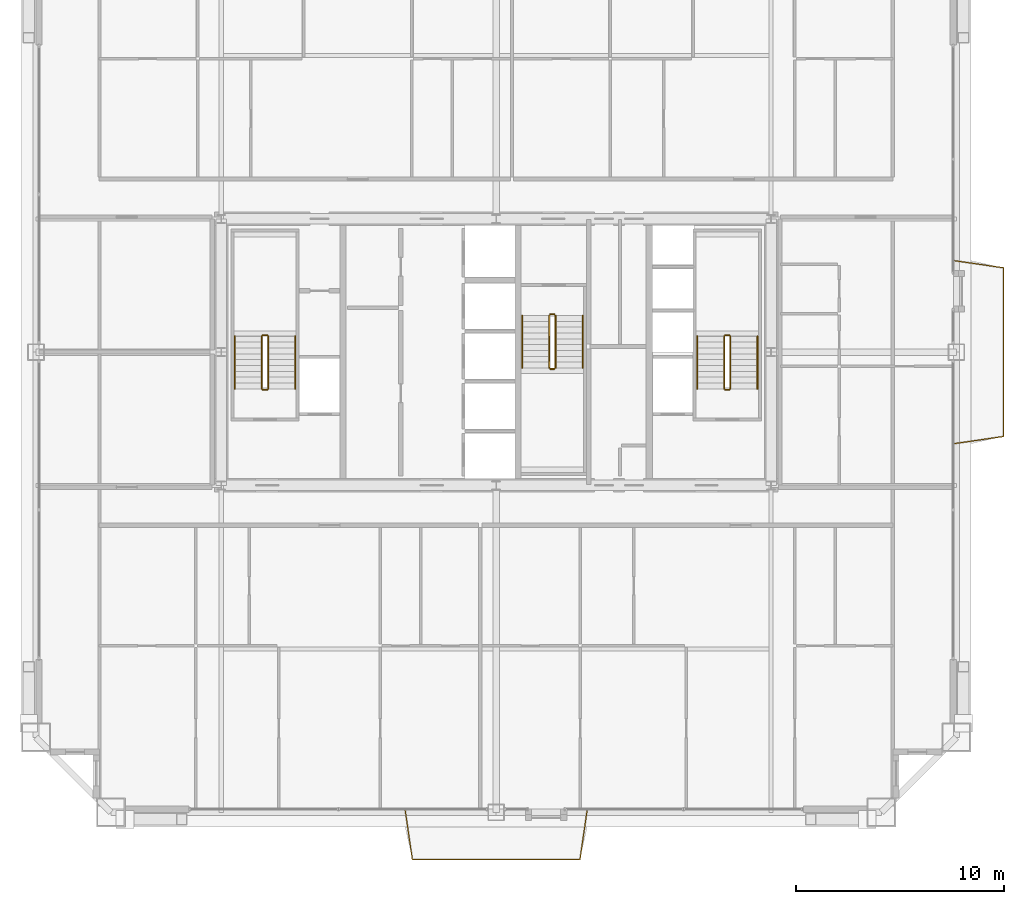
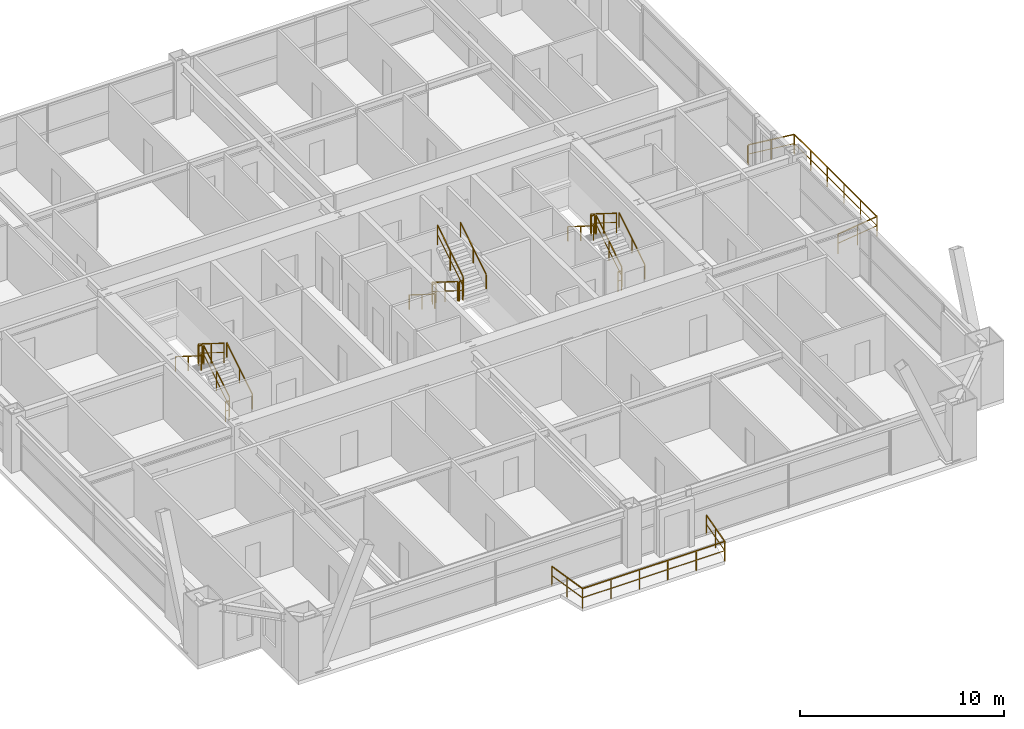
# One storey, part 45 of 45: 20 railings.
"""IFC4 building model written with IfcOpenShell, lengths in metres."""

from ifc_helpers import new_model, si_unit, direction, frame, origin, origin_2d, place, context, subcontext, project, spatial, rectangle, extrude, source, transform, mapped, material, layer, layer_set, type_object, element, save


model = new_model("IFC4")

# Units and contexts
model_context = context("Model", 3, precision=1e-05, world=origin(), true_north=direction((0.0, 1.0)))
body_context = subcontext(model_context, "Body", "Model", "MODEL_VIEW")
ifc_project = project(units=[si_unit("LENGTHUNIT", "METRE"), si_unit("AREAUNIT", "SQUARE_METRE"), si_unit("VOLUMEUNIT", "CUBIC_METRE"), si_unit("PLANEANGLEUNIT", "RADIAN"), si_unit("MASSUNIT", "GRAM", prefix="KILO"), si_unit("THERMODYNAMICTEMPERATUREUNIT", "KELVIN"), si_unit("POWERUNIT", "WATT")], contexts=[model_context])

# Site, building, storey
site_placement = place(None, origin())
site = spatial("IfcSite", under=ifc_project, at=site_placement, CompositionType="ELEMENT")
building_placement = place(site_placement, origin())
building = spatial("IfcBuilding", under=site, at=building_placement, Name="Yuzanri Waterfront Tower", CompositionType="ELEMENT")
storey_placement = place(building_placement, frame((0.0, 0.0, 191.5)))
storey = spatial("IfcBuildingStorey", under=building, at=storey_placement, Name="L50", CompositionType="ELEMENT", Elevation=191.5)

# Railings
ifc_material_1 = material(Name="Anodized Architectural Bronze", Category="metal")
ifc_layer_1 = layer(ifc_material_1, 0.080078125)
ifc_layer_set_1 = layer_set([ifc_layer_1], Name="Anodized Architectural Bronze")
railing_type_1 = type_object("IfcRailingType", Name="Laminated Glass and Bronze Balcony Guardrail 1200", PredefinedType="BALUSTRADE", material=ifc_layer_set_1)
shared_shape_1 = source(origin(), body_context, "Body", "SweptSolid", [
    extrude(rectangle(XDim=0.050048828125, YDim=0.050048828125, at=origin_2d()), frame((0.0, 0.0, 1.1748046875), z_axis=(0.143693627553, -0.989622221558, 0.0), x_axis=(0.989622221558, 0.143693627553, 0.0)), (0.0, 0.0, 1.0), 2.4365234375),
    extrude(rectangle(XDim=0.035888671875, YDim=0.030029296875, at=origin_2d()), frame((0.0, 0.0, 0.6240234375), z_axis=(0.143693627553, -0.989622221558, 0.0), x_axis=(0.989622221558, 0.143693627553, 0.0)), (0.0, 0.0, 1.0), 2.4365234375),
    extrude(rectangle(XDim=0.050048828125, YDim=0.050048828125, at=origin_2d()), frame((0.35009765625, -2.4111328125, 1.1748046875), z_axis=(1.0, 0.0, 0.0), x_axis=(0.0, 1.0, 0.0)), (0.0, 0.0, 1.0), 8.0498046875),
    extrude(rectangle(XDim=0.035888671875, YDim=0.030029296875, at=origin_2d()), frame((0.35009765625, -2.4111328125, 0.6240234375), z_axis=(1.0, 0.0, 0.0), x_axis=(0.0, 1.0, 0.0)), (0.0, 0.0, 1.0), 8.0498046875),
    extrude(rectangle(XDim=0.050048828125, YDim=0.050048828125, at=origin_2d()), frame((8.39990234375, -2.4111328125, 1.1748046875), z_axis=(0.143693627553, 0.989622221558, 0.0), x_axis=(-0.989622221558, 0.143693627553, 0.0)), (0.0, 0.0, 1.0), 2.4365234375),
    extrude(rectangle(XDim=0.035888671875, YDim=0.030029296875, at=origin_2d()), frame((8.39990234375, -2.4111328125, 0.6240234375), z_axis=(0.143693627553, 0.989622221558, 0.0), x_axis=(-0.989622221558, 0.143693627553, 0.0)), (0.0, 0.0, 1.0), 2.4365234375),
    extrude(rectangle(XDim=0.0458984375, YDim=0.0458984375, at=origin_2d()), origin(), (0.0, 0.0, 1.0), 1.14990234375),
    extrude(rectangle(XDim=0.0458984375, YDim=0.0458984375, at=origin_2d()), frame((0.175048828125, -1.20556640625, 0.0)), (0.0, 0.0, 1.0), 1.14990234375),
    extrude(rectangle(XDim=0.0458984375, YDim=0.0458984375, at=origin_2d()), frame((0.35009765625, -2.4111328125, 0.0)), (0.0, 0.0, 1.0), 1.14990234375),
    extrude(rectangle(XDim=0.0458984375, YDim=0.0458984375, at=origin_2d()), frame((1.9599609375, -2.4111328125, 0.0)), (0.0, 0.0, 1.0), 1.14990234375),
    extrude(rectangle(XDim=0.0458984375, YDim=0.0458984375, at=origin_2d()), frame((3.570068359375, -2.4111328125, 0.0)), (0.0, 0.0, 1.0), 1.14990234375),
    extrude(rectangle(XDim=0.0458984375, YDim=0.0458984375, at=origin_2d()), frame((5.179931640625, -2.4111328125, 0.0)), (0.0, 0.0, 1.0), 1.14990234375),
    extrude(rectangle(XDim=0.0458984375, YDim=0.0458984375, at=origin_2d()), frame((6.7900390625, -2.4111328125, 0.0)), (0.0, 0.0, 1.0), 1.14990234375),
    extrude(rectangle(XDim=0.0458984375, YDim=0.0458984375, at=origin_2d()), frame((8.39990234375, -2.4111328125, 0.0)), (0.0, 0.0, 1.0), 1.14990234375),
    extrude(rectangle(XDim=0.0458984375, YDim=0.0458984375, at=origin_2d()), frame((8.574951171875, -1.20556640625, 0.0)), (0.0, 0.0, 1.0), 1.14990234375),
    extrude(rectangle(XDim=0.0458984375, YDim=0.0458984375, at=origin_2d()), frame((8.75, 0.0, 0.0)), (0.0, 0.0, 1.0), 1.14990234375),
])
railing_1_placement = place(storey_placement, frame((32.625, 3.85009765625, 0.0)))
element("IfcRailing", 1, at=railing_1_placement, inside=storey, type_object=railing_type_1, Name="L50 S Engawa Terrace Guardrail", PredefinedType="BALUSTRADE", context=body_context, shape_type="MappedRepresentation", body=[
    mapped(shared_shape_1, transform((0.0, 0.0, 0.0), scale=1.0)),
])
shared_shape_2 = source(origin(), body_context, "Body", "SweptSolid", [
    extrude(rectangle(XDim=0.050048828125, YDim=0.050048828125, at=origin_2d()), frame((0.0, 0.0, 1.1748046875), z_axis=(0.989622221558, 0.143693627553, 0.0), x_axis=(-0.143693627553, 0.989622221558, 0.0)), (0.0, 0.0, 1.0), 2.4365234375),
    extrude(rectangle(XDim=0.035888671875, YDim=0.030029296875, at=origin_2d()), frame((0.0, 0.0, 0.6240234375), z_axis=(0.989622221558, 0.143693627553, 0.0), x_axis=(-0.143693627553, 0.989622221558, 0.0)), (0.0, 0.0, 1.0), 2.4365234375),
    extrude(rectangle(XDim=0.050048828125, YDim=0.050048828125, at=origin_2d()), frame((2.4111328125, 0.35009765625, 1.1748046875), z_axis=(0.0, 1.0, 0.0), x_axis=(-1.0, 0.0, 0.0)), (0.0, 0.0, 1.0), 8.10009765625),
    extrude(rectangle(XDim=0.035888671875, YDim=0.030029296875, at=origin_2d()), frame((2.4111328125, 0.35009765625, 0.6240234375), z_axis=(0.0, 1.0, 0.0), x_axis=(-1.0, 0.0, 0.0)), (0.0, 0.0, 1.0), 8.10009765625),
    extrude(rectangle(XDim=0.050048828125, YDim=0.050048828125, at=origin_2d()), frame((2.4111328125, 8.4501953125, 1.1748046875), z_axis=(-0.989636466255, 0.143595489686, 0.0), x_axis=(-0.143595489686, -0.989636466255, 0.0)), (0.0, 0.0, 1.0), 2.436279296875),
    extrude(rectangle(XDim=0.035888671875, YDim=0.030029296875, at=origin_2d()), frame((2.4111328125, 8.4501953125, 0.6240234375), z_axis=(-0.989636466255, 0.143595489686, 0.0), x_axis=(-0.143595489686, -0.989636466255, 0.0)), (0.0, 0.0, 1.0), 2.436279296875),
    extrude(rectangle(XDim=0.0458984375, YDim=0.0458984375, at=origin_2d()), origin(), (0.0, 0.0, 1.0), 1.14990234375),
    extrude(rectangle(XDim=0.0458984375, YDim=0.0458984375, at=origin_2d()), frame((1.20556640625, 0.175048828125, 0.0)), (0.0, 0.0, 1.0), 1.14990234375),
    extrude(rectangle(XDim=0.0458984375, YDim=0.0458984375, at=origin_2d()), frame((2.4111328125, 0.35009765625, 0.0)), (0.0, 0.0, 1.0), 1.14990234375),
    extrude(rectangle(XDim=0.0458984375, YDim=0.0458984375, at=origin_2d()), frame((2.4111328125, 1.97021484375, 0.0)), (0.0, 0.0, 1.0), 1.14990234375),
    extrude(rectangle(XDim=0.0458984375, YDim=0.0458984375, at=origin_2d()), frame((2.4111328125, 3.590087890625, 0.0)), (0.0, 0.0, 1.0), 1.14990234375),
    extrude(rectangle(XDim=0.0458984375, YDim=0.0458984375, at=origin_2d()), frame((2.4111328125, 5.210205078125, 0.0)), (0.0, 0.0, 1.0), 1.14990234375),
    extrude(rectangle(XDim=0.0458984375, YDim=0.0458984375, at=origin_2d()), frame((2.4111328125, 6.830078125, 0.0)), (0.0, 0.0, 1.0), 1.14990234375),
    extrude(rectangle(XDim=0.0458984375, YDim=0.0458984375, at=origin_2d()), frame((2.4111328125, 8.4501953125, 0.0)), (0.0, 0.0, 1.0), 1.14990234375),
    extrude(rectangle(XDim=0.0458984375, YDim=0.0458984375, at=origin_2d()), frame((1.20556640625, 8.625, 0.0)), (0.0, 0.0, 1.0), 1.14990234375),
    extrude(rectangle(XDim=0.0458984375, YDim=0.0458984375, at=origin_2d()), frame((0.0, 8.800048828125, 0.0)), (0.0, 0.0, 1.0), 1.14990234375),
])
railing_2_placement = place(storey_placement, frame((58.949951171875, 21.39990234375, 0.0)))
element("IfcRailing", 2, at=railing_2_placement, inside=storey, type_object=railing_type_1, Name="L50 E Engawa Terrace Guardrail", PredefinedType="BALUSTRADE", context=body_context, shape_type="MappedRepresentation", body=[
    mapped(shared_shape_2, transform((0.0, 0.0, 0.0), scale=1.0)),
])
ifc_material_2 = material(Name="Painted Galvanized Fire Steel", Category="steel")
ifc_layer_2 = layer(ifc_material_2, 0.06005859375)
ifc_layer_set_2 = layer_set([ifc_layer_2], Name="Painted Galvanized Fire Steel")
railing_type_2 = type_object("IfcRailingType", Name="Painted Steel Stairwell Guardrail 1120", PredefinedType="GUARDRAIL", material=ifc_layer_set_2)
shared_shape_3 = source(origin(), body_context, "Body", "SweptSolid", [
    extrude(rectangle(XDim=0.050048828125, YDim=0.050048828125, at=origin_2d()), frame((0.0, 0.0, 1.1748046875), z_axis=(-1.0, 0.0, 0.0), x_axis=(0.0, -1.0, 0.0)), (0.0, 0.0, 1.0), 0.199951171875),
    extrude(rectangle(XDim=0.035888671875, YDim=0.030029296875, at=origin_2d()), frame((0.0, 0.0, 0.6240234375), z_axis=(-1.0, 0.0, 0.0), x_axis=(0.0, -1.0, 0.0)), (0.0, 0.0, 1.0), 0.199951171875),
    extrude(rectangle(XDim=0.0458984375, YDim=0.0458984375, at=origin_2d()), origin(), (0.0, 0.0, 1.0), 1.14990234375),
    extrude(rectangle(XDim=0.0458984375, YDim=0.0458984375, at=origin_2d()), frame((-0.199951171875, 0.0, 0.0)), (0.0, 0.0, 1.0), 1.14990234375),
])
for number, where, name in (
    (3, (26.0, 26.610107421875, 1.75), "L50 ST-01 stair guard 2"),
    (4, (26.0, 23.989990234375, 0.0), "L50 ST-01 stair guard 4"),
    (5, (48.199951171875, 26.610107421875, 1.75), "L50 ST-02 stair guard 2"),
    (6, (48.199951171875, 23.989990234375, 0.0), "L50 ST-02 stair guard 4"),
):
    element("IfcRailing", number, at=place(storey_placement, frame(where)), inside=storey, type_object=railing_type_2, Name=name, PredefinedType="GUARDRAIL", context=body_context, shape_type="MappedRepresentation", body=[
        mapped(shared_shape_3, transform((0.0, 0.0, 0.0), scale=1.0)),
    ])
shared_shape_4 = source(origin(), body_context, "Body", "SweptSolid", [
    extrude(rectangle(XDim=0.050048828125, YDim=0.050048828125, at=origin_2d()), frame((0.0, 0.0, 1.1748046875), z_axis=(0.0, 0.848007534815, 0.529984170421), x_axis=(-1.0, 0.0, 0.0)), (0.0, 0.0, 1.0), 2.9716796875),
    extrude(rectangle(XDim=0.035888671875, YDim=0.030029296875, at=origin_2d()), frame((0.0, 0.0, 0.6240234375), z_axis=(0.0, 0.848007534815, 0.529984170421), x_axis=(-1.0, 0.0, 0.0)), (0.0, 0.0, 1.0), 2.9716796875),
    extrude(rectangle(XDim=0.0458984375, YDim=0.0458984375, at=origin_2d()), origin(), (0.0, 0.0, 1.0), 1.14990234375),
    extrude(rectangle(XDim=0.0458984375, YDim=0.0458984375, at=origin_2d()), frame((0.0, 1.260009765625, 0.78759765625)), (0.0, 0.0, 1.0), 1.14990234375),
    extrude(rectangle(XDim=0.0458984375, YDim=0.0458984375, at=origin_2d()), frame((0.0, 2.52001953125, 1.574951171875)), (0.0, 0.0, 1.0), 1.14990234375),
])
for number, where, name in (
    (7, (26.050048828125, 24.0400390625, 0.175048828125), "L50 ST-01 stair guard 1"),
    (8, (48.25, 24.0400390625, 0.175048828125), "L50 ST-02 stair guard 1"),
    (9, (39.85009765625, 25.0400390625, 1.925048828125), "L50 ST-03 stair guard 3"),
):
    element("IfcRailing", number, at=place(storey_placement, frame(where)), inside=storey, type_object=railing_type_2, Name=name, PredefinedType="GUARDRAIL", context=body_context, shape_type="MappedRepresentation", body=[
        mapped(shared_shape_4, transform((0.0, 0.0, 0.0), scale=1.0)),
    ])
shared_shape_5 = source(origin(), body_context, "Body", "SweptSolid", [
    extrude(rectangle(XDim=0.050048828125, YDim=0.050048828125, at=origin_2d()), frame((0.0, 0.0, 1.1748046875), z_axis=(0.0, -0.848007534815, 0.529984170421), x_axis=(1.0, 0.0, 0.0)), (0.0, 0.0, 1.0), 2.9716796875),
    extrude(rectangle(XDim=0.035888671875, YDim=0.030029296875, at=origin_2d()), frame((0.0, 0.0, 0.6240234375), z_axis=(0.0, -0.848007534815, 0.529984170421), x_axis=(1.0, 0.0, 0.0)), (0.0, 0.0, 1.0), 2.9716796875),
    extrude(rectangle(XDim=0.0458984375, YDim=0.0458984375, at=origin_2d()), origin(), (0.0, 0.0, 1.0), 1.14990234375),
    extrude(rectangle(XDim=0.0458984375, YDim=0.0458984375, at=origin_2d()), frame((0.0, -1.260009765625, 0.78759765625)), (0.0, 0.0, 1.0), 1.14990234375),
    extrude(rectangle(XDim=0.0458984375, YDim=0.0458984375, at=origin_2d()), frame((0.0, -2.52001953125, 1.574951171875)), (0.0, 0.0, 1.0), 1.14990234375),
])
for number, where, name in (
    (10, (25.75, 26.56005859375, 1.925048828125), "L50 ST-01 stair guard 3"),
    (11, (47.949951171875, 26.56005859375, 1.925048828125), "L50 ST-02 stair guard 3"),
    (12, (39.550048828125, 27.56005859375, 0.175048828125), "L50 ST-03 stair guard 1"),
):
    element("IfcRailing", number, at=place(storey_placement, frame(where)), inside=storey, type_object=railing_type_2, Name=name, PredefinedType="GUARDRAIL", context=body_context, shape_type="MappedRepresentation", body=[
        mapped(shared_shape_5, transform((0.0, 0.0, 0.0), scale=1.0)),
    ])
ifc_material_3 = material(Name="Anodized Architectural Bronze", Category="metal")
ifc_layer_3 = layer(ifc_material_3, 0.050048828125)
ifc_layer_set_3 = layer_set([ifc_layer_3], Name="Anodized Architectural Bronze")
railing_type_3 = type_object("IfcRailingType", Name="Brushed Bronze Stair Pitch Handrail 920", PredefinedType="HANDRAIL", material=ifc_layer_set_3)
shared_shape_6 = source(origin(), body_context, "Body", "SweptSolid", [
    extrude(rectangle(XDim=0.050048828125, YDim=0.050048828125, at=origin_2d()), frame((0.0, 0.0, 0.875), z_axis=(0.0, 0.848007534815, 0.529984170421), x_axis=(-1.0, 0.0, 0.0)), (0.0, 0.0, 1.0), 2.9716796875),
    extrude(rectangle(XDim=0.0458984375, YDim=0.0458984375, at=origin_2d()), origin(), (0.0, 0.0, 1.0), 0.849853515625),
    extrude(rectangle(XDim=0.0458984375, YDim=0.0458984375, at=origin_2d()), frame((0.0, 1.260009765625, 0.78759765625)), (0.0, 0.0, 1.0), 0.849853515625),
    extrude(rectangle(XDim=0.0458984375, YDim=0.0458984375, at=origin_2d()), frame((0.0, 2.52001953125, 1.574951171875)), (0.0, 0.0, 1.0), 0.849853515625),
])
for number, where, name in (
    (13, (27.35009765625, 24.0400390625, 0.175048828125), "L50 ST-01 stair handrail 1"),
    (14, (49.550048828125, 24.0400390625, 0.175048828125), "L50 ST-02 stair handrail 1"),
    (15, (41.14990234375, 25.0400390625, 1.925048828125), "L50 ST-03 stair handrail 2"),
):
    element("IfcRailing", number, at=place(storey_placement, frame(where)), inside=storey, type_object=railing_type_3, Name=name, PredefinedType="HANDRAIL", context=body_context, shape_type="MappedRepresentation", body=[
        mapped(shared_shape_6, transform((0.0, 0.0, 0.0), scale=1.0)),
    ])
shared_shape_7 = source(origin(), body_context, "Body", "SweptSolid", [
    extrude(rectangle(XDim=0.050048828125, YDim=0.050048828125, at=origin_2d()), frame((0.0, 0.0, 0.875), z_axis=(0.0, -0.848007534815, 0.529984170421), x_axis=(1.0, 0.0, 0.0)), (0.0, 0.0, 1.0), 2.9716796875),
    extrude(rectangle(XDim=0.0458984375, YDim=0.0458984375, at=origin_2d()), origin(), (0.0, 0.0, 1.0), 0.849853515625),
    extrude(rectangle(XDim=0.0458984375, YDim=0.0458984375, at=origin_2d()), frame((0.0, -1.260009765625, 0.78759765625)), (0.0, 0.0, 1.0), 0.849853515625),
    extrude(rectangle(XDim=0.0458984375, YDim=0.0458984375, at=origin_2d()), frame((0.0, -2.52001953125, 1.574951171875)), (0.0, 0.0, 1.0), 0.849853515625),
])
for number, where, name in (
    (16, (24.449951171875, 26.56005859375, 1.925048828125), "L50 ST-01 stair handrail 2"),
    (17, (46.64990234375, 26.56005859375, 1.925048828125), "L50 ST-02 stair handrail 2"),
    (18, (38.25, 27.56005859375, 0.175048828125), "L50 ST-03 stair handrail 1"),
):
    element("IfcRailing", number, at=place(storey_placement, frame(where)), inside=storey, type_object=railing_type_3, Name=name, PredefinedType="HANDRAIL", context=body_context, shape_type="MappedRepresentation", body=[
        mapped(shared_shape_7, transform((0.0, 0.0, 0.0), scale=1.0)),
    ])
shared_shape_8 = source(origin(), body_context, "Body", "SweptSolid", [
    extrude(rectangle(XDim=0.050048828125, YDim=0.050048828125, at=origin_2d()), frame((0.0, 0.0, 1.1748046875), z_axis=(1.0, 0.0, 0.0), x_axis=(0.0, 1.0, 0.0)), (0.0, 0.0, 1.0), 0.199951171875),
    extrude(rectangle(XDim=0.035888671875, YDim=0.030029296875, at=origin_2d()), frame((0.0, 0.0, 0.6240234375), z_axis=(1.0, 0.0, 0.0), x_axis=(0.0, 1.0, 0.0)), (0.0, 0.0, 1.0), 0.199951171875),
    extrude(rectangle(XDim=0.0458984375, YDim=0.0458984375, at=origin_2d()), origin(), (0.0, 0.0, 1.0), 1.14990234375),
    extrude(rectangle(XDim=0.0458984375, YDim=0.0458984375, at=origin_2d()), frame((0.199951171875, 0.0, 0.0)), (0.0, 0.0, 1.0), 1.14990234375),
])
for number, where, name in (
    (19, (39.60009765625, 24.989990234375, 1.75), "L50 ST-03 stair guard 2"),
    (20, (39.60009765625, 27.610107421875, 0.0), "L50 ST-03 stair guard 4"),
):
    element("IfcRailing", number, at=place(storey_placement, frame(where)), inside=storey, type_object=railing_type_2, Name=name, PredefinedType="GUARDRAIL", context=body_context, shape_type="MappedRepresentation", body=[
        mapped(shared_shape_8, transform((0.0, 0.0, 0.0), scale=1.0)),
    ])

save(model, "model.ifc")
